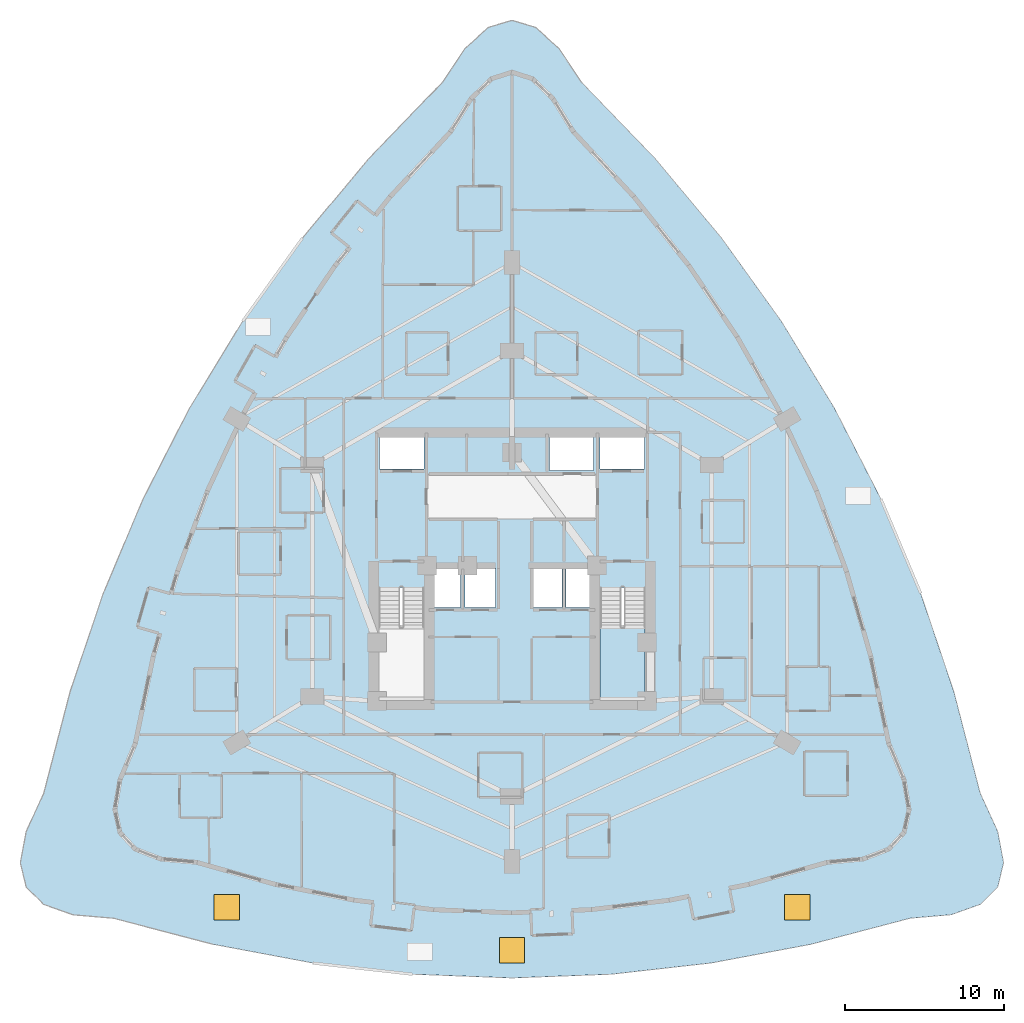
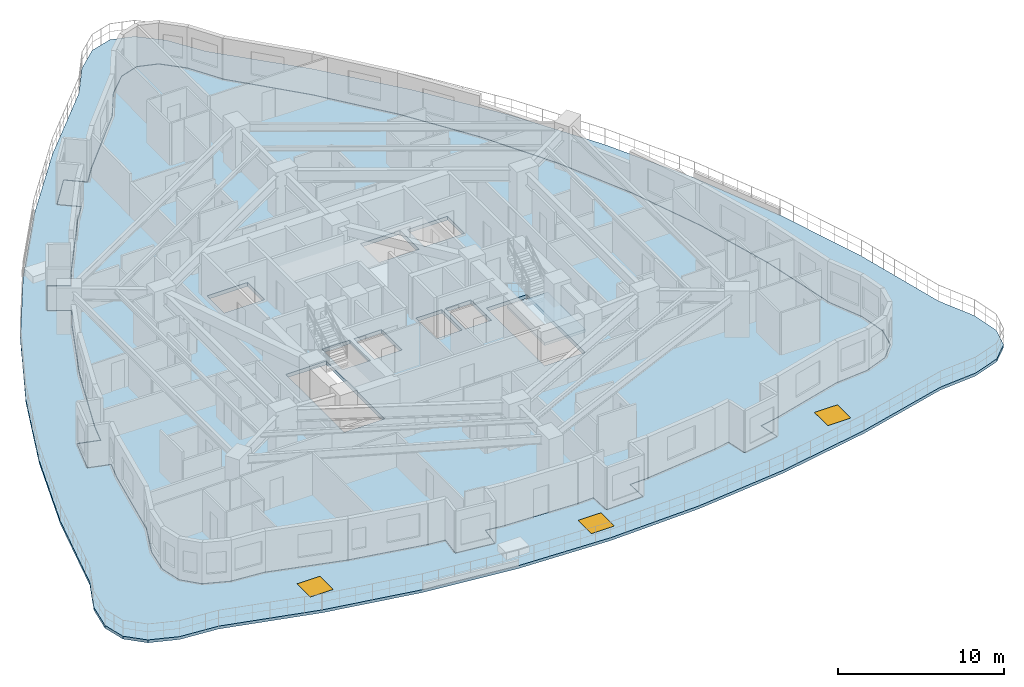
# One storey, part 5 of 17: 3 slabs, 3 windows, 3 openings, 1 element without a shape of its own.
"""IFC4 building model written with IfcOpenShell, lengths in metres."""

from ifc_helpers import new_model, si_unit, direction, frame, origin, origin_2d, place, context, subcontext, project, spatial, polyline, rectangle, outline, extrude, material, layer, layer_set, type_object, element, fill, aggregate, save


model = new_model("IFC4")

# Units and contexts
model_context = context("Model", 3, precision=1e-05, world=origin(), true_north=direction((0.0, 1.0)))
body_context = subcontext(model_context, "Body", "Model", "MODEL_VIEW")
ifc_project = project(units=[si_unit("LENGTHUNIT", "METRE"), si_unit("AREAUNIT", "SQUARE_METRE"), si_unit("VOLUMEUNIT", "CUBIC_METRE"), si_unit("PLANEANGLEUNIT", "RADIAN"), si_unit("MASSUNIT", "GRAM", prefix="KILO")], contexts=[model_context])

# Site, building, storey
site_placement = place(None, origin())
site = spatial("IfcSite", under=ifc_project, at=site_placement, CompositionType="ELEMENT")
building_placement = place(site_placement, origin())
building = spatial("IfcBuilding", under=site, at=building_placement, Name="Miruveldt Soraemaru", CompositionType="ELEMENT")
storey_placement = place(building_placement, frame((0.0, 0.0, 29.199951171875)))
storey = spatial("IfcBuildingStorey", under=building, at=storey_placement, Name="L07", CompositionType="ELEMENT", Elevation=29.199951171875)

# Stair, slab
ifc_material_1 = material(Name="Concrete C40/50 (40 MPa)", Category="concrete")
stair_type = type_object("IfcStairType", Name="STAIR-DL-340", PredefinedType="HALF_TURN_STAIR", material=ifc_material_1)
stair_placement = place(storey_placement, origin())
stair = element("IfcStair", 1, at=stair_placement, inside=storey, type_object=stair_type, Name="L07 Protected Exit Stair ST-2", PredefinedType="HALF_TURN_STAIR")
ifc_layer_1 = layer(ifc_material_1, 0.199951171875, Name="Concrete C40/50 (40 MPa)", Category="concrete")
ifc_layer_set_1 = layer_set([ifc_layer_1], Name="Concrete C40/50 (40 MPa)")
slab_type_1 = type_object("IfcSlabType", Name="SLAB-LAND-200", PredefinedType="LANDING", material=ifc_layer_set_1)
slab_1_placement = place(storey_placement, frame((0.0, 0.0, 1.5)))
slab_1 = element("IfcSlab", 2, at=slab_1_placement, type_object=slab_type_1, Name="ST-2 landing 1", PredefinedType="LANDING", context=body_context, shape_type="SweptSolid", body=[
    extrude(outline(polyline([(49.550048828125, 40.197998046875), (49.550048828125, 35.64990234375), (52.39990234375, 35.64990234375), (52.39990234375, 40.197998046875), (49.550048828125, 40.197998046875)])), origin(), (0.0, 0.0, 1.0), 0.199951171875),
])
aggregate(stair, [slab_1])

# Slab
ifc_layer_2 = layer(ifc_material_1, 0.27490234375, Name="Concrete C40/50 (40 MPa)", Category="concrete")
ifc_layer_set_2 = layer_set([ifc_layer_2], Name="Concrete C40/50 (40 MPa)")
slab_type_2 = type_object("IfcSlabType", Name="SLAB-RES1-275", PredefinedType="FLOOR", material=ifc_layer_set_2)
slab_2_placement = place(storey_placement, frame((0.0, 0.0, -0.27490234375)))
element("IfcSlab", 3, at=slab_2_placement, inside=storey, type_object=slab_type_2, Name="L07 Structural Floor Slab", PredefinedType="FLOOR", context=body_context, shape_type="SweptSolid", body=[
    extrude(outline(polyline([(45.246337890625, 20.72412109375), (45.187255859375, 22.202880859375), (44.0, 22.155517578125), (39.027587890625, 22.354248046875), (37.832275390625, 22.497802734375), (37.656005859375, 21.0283203125), (35.07470703125, 21.337890625), (35.2509765625, 22.8076171875), (36.54150390625, 22.652587890625), (34.055419921875, 22.950927734375), (29.083251953125, 23.9453125), (24.111083984375, 25.337646484375), (21.85498046875, 25.546142578125), (20.24365234375, 26.17138671875), (19.27685546875, 27.213134765625), (18.95458984375, 28.672119140625), (19.27685546875, 30.547607421875), (20.24365234375, 32.83984375), (21.37939453125, 38.35888671875), (22.14013671875, 41.018798828125), (21.78271484375, 39.768798828125), (20.35986328125, 40.17578125), (21.07470703125, 42.67578125), (22.497802734375, 42.268798828125), (22.90087890625, 43.6787109375), (24.808349609375, 48.800048828125), (27.1015625, 53.722412109375), (28.441162109375, 56.083984375), (27.7998046875, 54.953125), (26.51220703125, 55.683349609375), (27.795166015625, 57.945068359375), (29.08251953125, 57.21484375), (29.780517578125, 58.44580078125), (32.845458984375, 62.97021484375), (34.57080078125, 65.133056640625), (33.760009765625, 64.11669921875), (32.60302734375, 65.039794921875), (34.224609375, 67.072265625), (35.381591796875, 66.149169921875), (36.296142578125, 67.2958984375), (40.1328125, 71.422607421875), (41.421875, 73.50634765625), (42.7109375, 74.7568359375), (44.0, 75.173583984375), (45.2890625, 74.7568359375), (46.578125, 73.50634765625), (47.8671875, 71.422607421875), (51.703857421875, 67.2958984375), (55.154541015625, 62.97021484375), (58.219482421875, 58.44580078125), (60.8984375, 53.722412109375), (63.191650390625, 48.800048828125), (65.09912109375, 43.6787109375), (66.62060546875, 38.35888671875), (67.75634765625, 32.83984375), (68.72314453125, 30.547607421875), (69.04541015625, 28.672119140625), (68.72314453125, 27.213134765625), (67.75634765625, 26.17138671875), (66.14501953125, 25.546142578125), (63.888916015625, 25.337646484375), (58.916748046875, 23.9453125), (56.4306640625, 23.4482421875), (57.705322265625, 23.703125), (57.99560546875, 22.251708984375), (55.446044921875, 21.741943359375), (55.156005859375, 23.193359375), (53.944580078125, 22.950927734375), (48.972412109375, 22.354248046875), (46.486083984375, 22.2548828125), (47.78515625, 22.306884765625), (47.84423828125, 20.827880859375), (45.246337890625, 20.72412109375)]), holes=[polyline([(35.614990234375, 35.6650390625), (38.43505859375, 35.6650390625), (38.43505859375, 42.68505859375), (35.614990234375, 42.68505859375), (35.614990234375, 35.6650390625)]), polyline([(49.56494140625, 35.6650390625), (52.385009765625, 35.6650390625), (52.385009765625, 42.68505859375), (49.56494140625, 42.68505859375), (49.56494140625, 35.6650390625)]), polyline([(40.764892578125, 41.4150390625), (40.764892578125, 43.885009765625), (38.81494140625, 43.885009765625), (38.81494140625, 41.4150390625), (40.764892578125, 41.4150390625)]), polyline([(42.965087890625, 41.4150390625), (42.965087890625, 43.885009765625), (41.034912109375, 43.885009765625), (41.034912109375, 41.4150390625), (42.965087890625, 41.4150390625)]), polyline([(47.1650390625, 41.4150390625), (47.1650390625, 43.885009765625), (45.364990234375, 43.885009765625), (45.364990234375, 41.4150390625), (47.1650390625, 41.4150390625)]), polyline([(49.18505859375, 41.4150390625), (49.18505859375, 43.885009765625), (47.39501953125, 43.885009765625), (47.39501953125, 41.4150390625), (49.18505859375, 41.4150390625)]), polyline([(38.445068359375, 50.135009765625), (38.445068359375, 52.205078125), (35.635009765625, 52.205078125), (35.635009765625, 50.135009765625), (38.445068359375, 50.135009765625)]), polyline([(49.554931640625, 50.135009765625), (52.364990234375, 50.135009765625), (52.364990234375, 52.205078125), (49.554931640625, 52.205078125), (49.554931640625, 50.135009765625)]), polyline([(46.364990234375, 50.06494140625), (49.135009765625, 50.06494140625), (49.135009765625, 52.3349609375), (46.364990234375, 52.3349609375), (46.364990234375, 50.06494140625)])]), origin(), (0.0, 0.0, 1.0), 0.27490234375),
])

# Slab, openings, windows
ifc_layer_3 = layer(ifc_material_1, 0.2099609375, Name="Concrete C40/50 (40 MPa)", Category="concrete")
ifc_layer_set_3 = layer_set([ifc_layer_3], Name="Concrete C40/50 (40 MPa)")
slab_type_3 = type_object("IfcSlabType", Name="SLAB-TERR-210", PredefinedType="ROOF", material=ifc_layer_set_3)
slab_3_placement = place(storey_placement, frame((0.0, 0.0, -0.2099609375)))
slab_3 = element("IfcSlab", 4, at=slab_3_placement, inside=storey, type_object=slab_type_3, Name="L07 Planted Terrace Roof Slab", PredefinedType="ROOF", context=body_context, shape_type="SweptSolid", body=[
    extrude(outline(polyline([(53.02392578125, 69.724853515625), (57.214599609375, 64.71142578125), (60.985107421875, 59.46240234375), (64.33544921875, 53.97802734375), (67.265380859375, 48.25830078125), (69.775390625, 42.302734375), (71.865234375, 36.11181640625), (73.534912109375, 29.685302734375), (74.63818359375, 27.279541015625), (75.006103515625, 25.311279296875), (74.63818359375, 23.7802734375), (73.534912109375, 22.686767578125), (71.696044921875, 22.03076171875), (69.12158203125, 21.81201171875), (62.84130859375, 20.163330078125), (56.560791015625, 18.98583984375), (50.280517578125, 18.279296875), (44.0, 18.043701171875), (37.719482421875, 18.279296875), (31.439208984375, 18.98583984375), (25.15869140625, 20.163330078125), (18.87841796875, 21.81201171875), (16.303955078125, 22.03076171875), (14.465087890625, 22.686767578125), (13.36181640625, 23.7802734375), (12.993896484375, 25.311279296875), (13.36181640625, 27.279541015625), (14.465087890625, 29.685302734375), (16.134765625, 36.11181640625), (18.224609375, 42.302734375), (20.734619140625, 48.25830078125), (23.66455078125, 53.97802734375), (27.014892578125, 59.46240234375), (30.785400390625, 64.71142578125), (34.97607421875, 69.724853515625), (39.586669921875, 74.502685546875), (41.057861328125, 76.689697265625), (42.52880859375, 78.001953125), (44.0, 78.439208984375), (45.47119140625, 78.001953125), (46.942138671875, 76.689697265625), (48.413330078125, 74.502685546875), (53.02392578125, 69.724853515625)]), holes=[polyline([(21.364990234375, 38.36279296875), (20.229248046875, 32.844482421875), (19.26318359375, 30.55322265625), (18.939697265625, 28.674560546875), (19.26220703125, 27.2099609375), (20.232666015625, 26.1611328125), (21.849609375, 25.531982421875), (24.1083984375, 25.322998046875), (29.0791015625, 23.930908203125), (34.052490234375, 22.936279296875), (35.234130859375, 22.79443359375), (35.059814453125, 21.33984375), (37.654296875, 21.013427734375), (37.845458984375, 22.481201171875), (39.02587890625, 22.33935546875), (43.99951171875, 22.140380859375), (45.1728515625, 22.187255859375), (45.2314453125, 20.723388671875), (47.844970703125, 20.81298828125), (47.80078125, 22.29248046875), (48.972900390625, 22.33935546875), (53.9462890625, 22.93603515625), (55.14404296875, 23.175537109375), (55.431396484375, 21.739013671875), (57.99853515625, 22.237060546875), (57.722900390625, 23.69140625), (58.919677734375, 23.9306640625), (63.8916015625, 25.322998046875), (66.146240234375, 25.53125), (67.76171875, 26.1572265625), (68.734130859375, 27.202880859375), (69.06005859375, 28.668701171875), (68.73779296875, 30.550048828125), (67.770751953125, 32.844482421875), (66.63525390625, 38.36181640625), (65.11328125, 43.682861328125), (63.205810546875, 48.80517578125), (60.912109375, 53.728515625), (58.232421875, 58.453125), (55.1669921875, 62.978515625), (51.715576171875, 67.30517578125), (47.87939453125, 71.431640625), (46.591064453125, 73.514404296875), (45.299560546875, 74.767578125), (44.004638671875, 75.18798828125), (42.706298828125, 74.77099609375), (41.411376953125, 73.51708984375), (40.12060546875, 71.431640625), (36.28515625, 67.305908203125), (35.379150390625, 66.17041015625), (34.23388671875, 67.083984375), (32.59130859375, 65.04931640625), (33.739013671875, 64.114501953125), (32.833740234375, 62.9794921875), (29.768310546875, 58.4541015625), (29.076904296875, 57.2353515625), (27.802490234375, 57.9580078125), (26.499267578125, 55.69091796875), (27.779296875, 54.947509765625), (27.088623046875, 53.729736328125), (24.794921875, 48.806396484375), (22.886962890625, 43.68408203125), (22.4873046875, 42.287109375), (21.078857421875, 42.690185546875), (20.345458984375, 40.179931640625), (21.76416015625, 39.758544921875), (21.364990234375, 38.36279296875)])]), origin(), (0.0, 0.0, 1.0), 0.2099609375),
])
opening_1_placement = place(slab_3_placement, frame((26.0, 22.5, -0.010009765625)))
opening_1 = element("IfcOpeningElement", 5, at=opening_1_placement, cuts=slab_3, Name="Opening SK-2", PredefinedType="OPENING", context=body_context, shape_type="SweptSolid", body=[
    extrude(rectangle(XDim=1.60009765625, YDim=1.60009765625, at=origin_2d()), origin(), (0.0, 0.0, 1.0), 0.22998046875),
])
opening_2_placement = place(slab_3_placement, frame((44.0, 19.800048828125, -0.010009765625)))
opening_2 = element("IfcOpeningElement", 6, at=opening_2_placement, cuts=slab_3, Name="Opening SK-2", PredefinedType="OPENING", context=body_context, shape_type="SweptSolid", body=[
    extrude(rectangle(XDim=1.60009765625, YDim=1.60009765625, at=origin_2d()), origin(), (0.0, 0.0, 1.0), 0.22998046875),
])
opening_3_placement = place(slab_3_placement, frame((62.0, 22.5, -0.010009765625)))
opening_3 = element("IfcOpeningElement", 7, at=opening_3_placement, cuts=slab_3, Name="Opening SK-2", PredefinedType="OPENING", context=body_context, shape_type="SweptSolid", body=[
    extrude(rectangle(XDim=1.60009765625, YDim=1.60009765625, at=origin_2d()), origin(), (0.0, 0.0, 1.0), 0.22998046875),
])
ifc_material_2 = material(Name="Triple low-e insulated glazing", Category="glass")
window_type = type_object("IfcWindowType", Name="WIN-SKYL-1600x1600", PartitioningType="SINGLE_PANEL", PredefinedType="SKYLIGHT", material=ifc_material_2)
window_1_placement = place(opening_1_placement, frame((0.0, 0.0, 0.169921875)))
window_1 = element("IfcWindow", 8, at=window_1_placement, inside=storey, type_object=window_type, Name="L07 Podium Roof Skylight 1", OverallHeight=1.60009765625, OverallWidth=1.60009765625, PartitioningType="SINGLE_PANEL", PredefinedType="SKYLIGHT", context=body_context, shape_type="SweptSolid", body=[
    extrude(rectangle(XDim=1.60009765625, YDim=1.60009765625, at=origin_2d()), origin(), (0.0, 0.0, 1.0), 0.050048828125),
])
fill(opening_1, window_1)
window_2_placement = place(opening_2_placement, frame((0.0, 0.0, 0.169921875)))
window_2 = element("IfcWindow", 9, at=window_2_placement, inside=storey, type_object=window_type, Name="L07 Podium Roof Skylight 2", OverallHeight=1.60009765625, OverallWidth=1.60009765625, PartitioningType="SINGLE_PANEL", PredefinedType="SKYLIGHT", context=body_context, shape_type="SweptSolid", body=[
    extrude(rectangle(XDim=1.60009765625, YDim=1.60009765625, at=origin_2d()), origin(), (0.0, 0.0, 1.0), 0.050048828125),
])
fill(opening_2, window_2)
window_3_placement = place(opening_3_placement, frame((0.0, 0.0, 0.169921875)))
window_3 = element("IfcWindow", 10, at=window_3_placement, inside=storey, type_object=window_type, Name="L07 Podium Roof Skylight 3", OverallHeight=1.60009765625, OverallWidth=1.60009765625, PartitioningType="SINGLE_PANEL", PredefinedType="SKYLIGHT", context=body_context, shape_type="SweptSolid", body=[
    extrude(rectangle(XDim=1.60009765625, YDim=1.60009765625, at=origin_2d()), origin(), (0.0, 0.0, 1.0), 0.050048828125),
])
fill(opening_3, window_3)

save(model, "model.ifc")
